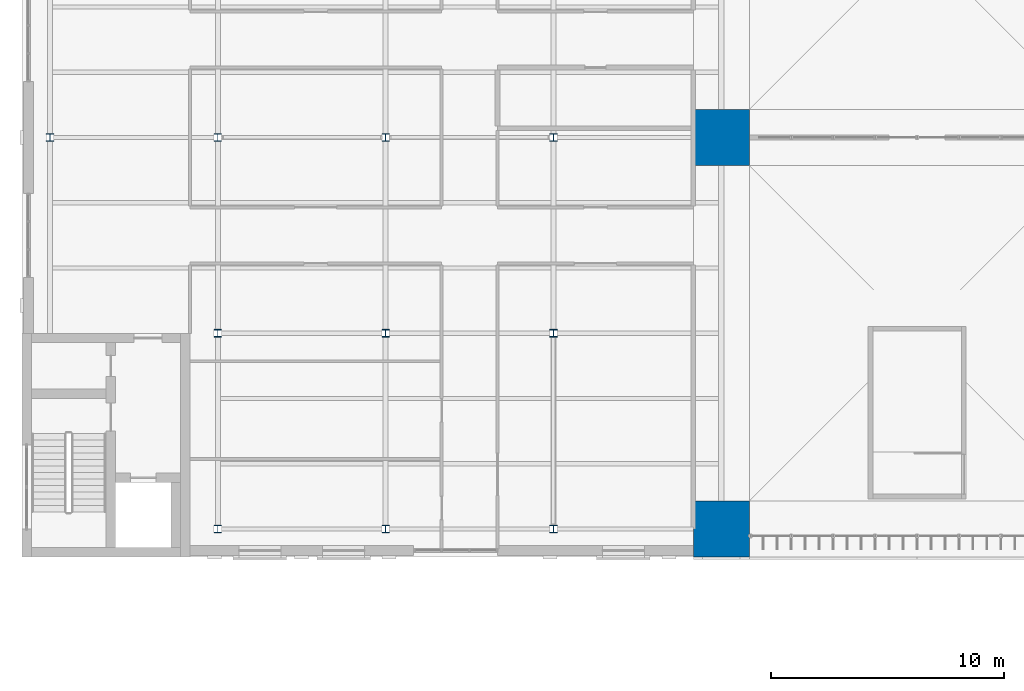
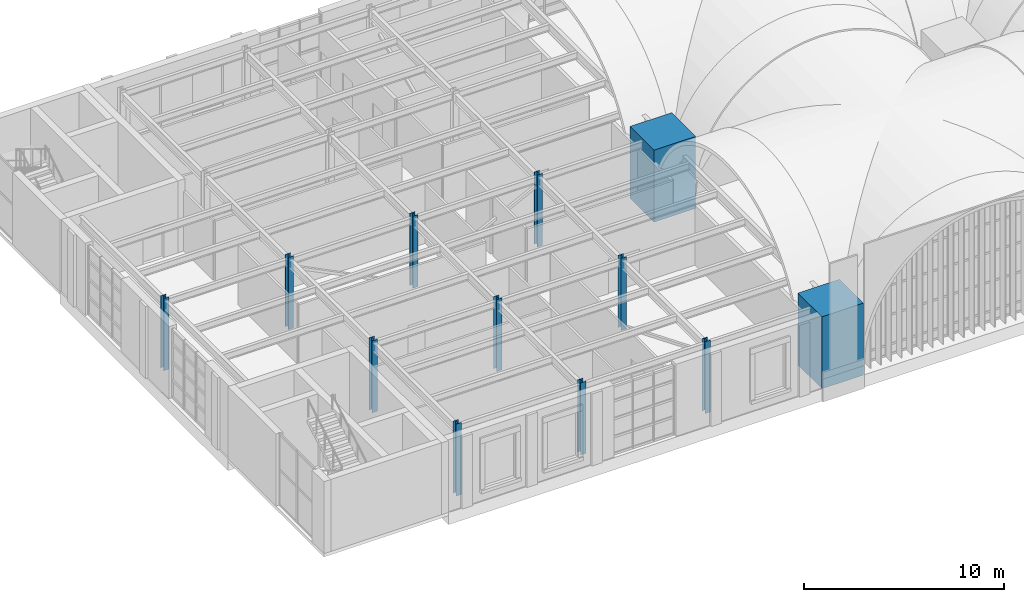
# One storey, part 1 of 169: 12 columns.
"""IFC4 building model written with IfcOpenShell, lengths in metres."""

from ifc_helpers import new_model, si_unit, direction, frame, origin, origin_2d, place, context, subcontext, project, spatial, rectangle, i_section, extrude, material, material_profile, profile_set, type_object, element, save


model = new_model("IFC4")

# Units and contexts
model_context = context("Model", 3, precision=1e-05, world=origin(), true_north=direction((0.0, 1.0)))
body_context = subcontext(model_context, "Body", "Model", "MODEL_VIEW")
ifc_project = project(units=[si_unit("LENGTHUNIT", "METRE"), si_unit("AREAUNIT", "SQUARE_METRE"), si_unit("VOLUMEUNIT", "CUBIC_METRE"), si_unit("PLANEANGLEUNIT", "RADIAN"), si_unit("MASSUNIT", "GRAM", prefix="KILO")], contexts=[model_context])

# Site, building, storey
site_placement = place(None, origin())
site = spatial("IfcSite", under=ifc_project, at=site_placement, CompositionType="ELEMENT")
building_placement = place(site_placement, origin())
building = spatial("IfcBuilding", under=site, at=building_placement, Name="Verrick Yard Athletic Hall", CompositionType="ELEMENT")
storey_placement = place(building_placement, frame((0.0, 0.0, 4.39990234375)))
storey = spatial("IfcBuildingStorey", under=building, at=storey_placement, Name="L01", CompositionType="ELEMENT", Elevation=4.39990234375)

# Columns
ifc_material_1 = material(Name="Concrete 35 MPa", Category="concrete")
ifc_material_profile_1 = material_profile(ifc_material_1, rectangle(XDim=2.39990234375, YDim=2.39990234375, at=origin_2d()), Name="STR Buttress pier PR1")
ifc_profile_set_1 = profile_set([ifc_material_profile_1], Name="Concrete 35 MPa")
column_type_1 = type_object("IfcColumnType", Name="STR Buttress pier PR1", PredefinedType="COLUMN", material=ifc_profile_set_1)
for number, where, z_axis, x_axis, name in (
    (1, (40.0, 19.199951171875, 0.0), (0.0, 0.0, 1.0), (1.0, 0.0, 0.0), "Buttress pier P1A"),
    (2, (40.0, 36.0, 0.0), (0.0, 0.0, 1.0), (1.0, 0.0, 0.0), "Buttress pier P1B"),
):
    element("IfcColumn", number, at=place(storey_placement, frame(where, z_axis=z_axis, x_axis=x_axis)), inside=storey, type_object=column_type_1, Name=name, PredefinedType="COLUMN", context=body_context, shape_type="SweptSolid", body=[
        extrude(rectangle(XDim=2.39990234375, YDim=2.39990234375, at=origin_2d()), origin(), (0.0, 0.0, 1.0), 4.400146484375),
    ])
ifc_material_2 = material(Name="Structural steel 350W (CSA G40.21)", Category="steel")
ifc_material_profile_2 = material_profile(ifc_material_2, i_section(OverallWidth=0.30908203125, OverallDepth=0.322998046875, WebThickness=0.013916015625, FlangeThickness=0.02294921875, at=origin_2d()), Name="W310x143")
ifc_profile_set_2 = profile_set([ifc_material_profile_2], Name="Structural steel 350W (CSA G40.21)")
column_type_2 = type_object("IfcColumnType", Name="STR Wing column W310x143", PredefinedType="COLUMN", material=ifc_profile_set_2)
for number, where, z_axis, x_axis, name in (
    (3, (11.199951171875, 36.0, 0.0), (0.0, 0.0, 1.0), (1.0, 0.0, 0.0), "Wing column WC13"),
    (4, (18.39990234375, 19.199951171875, 0.0), (0.0, 0.0, 1.0), (1.0, 0.0, 0.0), "Wing column WC21"),
    (5, (18.39990234375, 27.60009765625, 0.0), (0.0, 0.0, 1.0), (1.0, 0.0, 0.0), "Wing column WC22"),
    (6, (18.39990234375, 36.0, 0.0), (0.0, 0.0, 1.0), (1.0, 0.0, 0.0), "Wing column WC23"),
    (7, (25.60009765625, 19.199951171875, 0.0), (0.0, 0.0, 1.0), (1.0, 0.0, 0.0), "Wing column WC31"),
    (8, (25.60009765625, 27.60009765625, 0.0), (0.0, 0.0, 1.0), (1.0, 0.0, 0.0), "Wing column WC32"),
    (9, (25.60009765625, 36.0, 0.0), (0.0, 0.0, 1.0), (1.0, 0.0, 0.0), "Wing column WC33"),
    (10, (32.800048828125, 19.199951171875, 0.0), (0.0, 0.0, 1.0), (1.0, 0.0, 0.0), "Wing column WC41"),
    (11, (32.800048828125, 27.60009765625, 0.0), (0.0, 0.0, 1.0), (1.0, 0.0, 0.0), "Wing column WC42"),
    (12, (32.800048828125, 36.0, 0.0), (0.0, 0.0, 1.0), (1.0, 0.0, 0.0), "Wing column WC43"),
):
    element("IfcColumn", number, at=place(storey_placement, frame(where, z_axis=z_axis, x_axis=x_axis)), inside=storey, type_object=column_type_2, Name=name, PredefinedType="COLUMN", context=body_context, shape_type="SweptSolid", body=[
        extrude(i_section(OverallWidth=0.30908203125, OverallDepth=0.322998046875, WebThickness=0.013916015625, FlangeThickness=0.02294921875, at=origin_2d()), origin(), (0.0, 0.0, 1.0), 4.400146484375),
    ])

save(model, "model.ifc")
